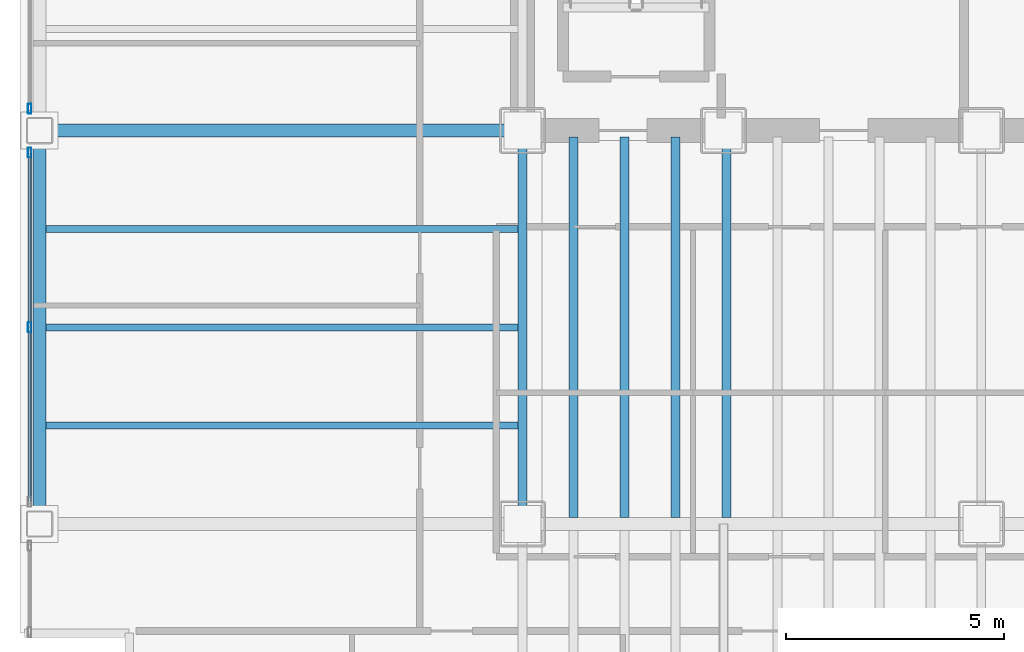
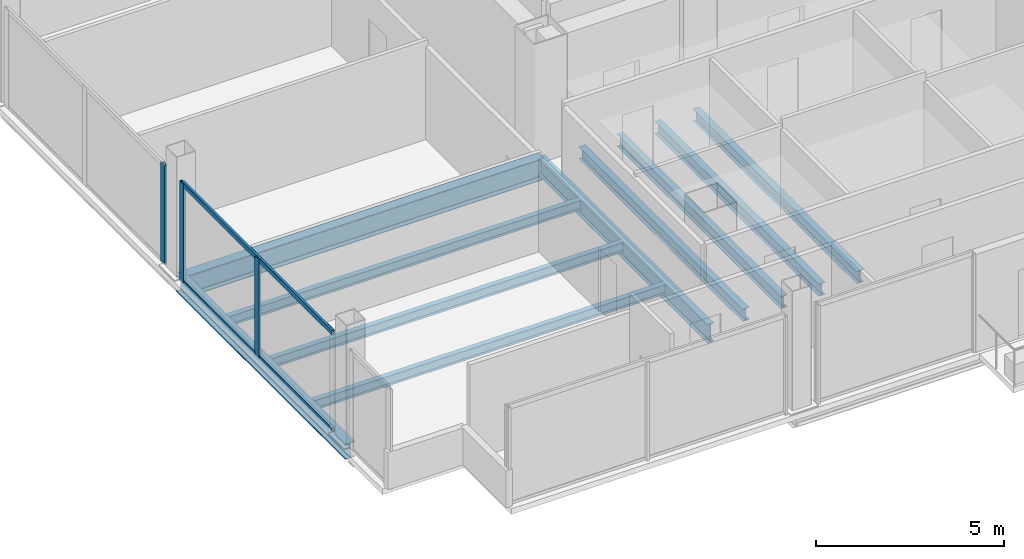
# One storey, part 3 of 21: 10 beams, 5 members, 2 elements without a shape of their own.
"""IFC4 building model written with IfcOpenShell, lengths in metres."""

from ifc_helpers import new_model, si_unit, direction, frame, origin, origin_2d, place, context, subcontext, project, spatial, hollow_rectangle, i_section, extrude, material, material_profile, profile_set, type_object, element, aggregate, save


model = new_model("IFC4")

# Units and contexts
model_context = context("Model", 3, precision=1e-05, world=origin(), true_north=direction((0.0, 1.0)))
body_context = subcontext(model_context, "Body", "Model", "MODEL_VIEW")
ifc_project = project(units=[si_unit("LENGTHUNIT", "METRE"), si_unit("AREAUNIT", "SQUARE_METRE"), si_unit("VOLUMEUNIT", "CUBIC_METRE"), si_unit("PLANEANGLEUNIT", "RADIAN"), si_unit("MASSUNIT", "GRAM", prefix="KILO")], contexts=[model_context])

# Site, building, storey
site_placement = place(None, origin())
site = spatial("IfcSite", under=ifc_project, at=site_placement, CompositionType="ELEMENT")
building_placement = place(site_placement, origin())
building = spatial("IfcBuilding", under=site, at=building_placement, Name="Noeulbin Bourse Tower", CompositionType="ELEMENT")
storey_placement = place(building_placement, frame((0.0, 0.0, 30.39990234375)))
storey = spatial("IfcBuildingStorey", under=building, at=storey_placement, Name="L07", CompositionType="ELEMENT", Elevation=30.39990234375)

# Beams
ifc_material_1 = material(Name="Steel S355", Category="steel")
ifc_material_profile_1 = material_profile(ifc_material_1, i_section(OverallWidth=0.199951171875, OverallDepth=0.60009765625, WebThickness=0.010986328125, FlangeThickness=0.01708984375, FilletRadius=0.02197265625, at=origin_2d()), Name="H-600x200x11x17", Category="LoadBearing")
ifc_profile_set_1 = profile_set([ifc_material_profile_1], Name="Steel S355")
beam_type_1 = type_object("IfcBeamType", Name="BM-GRD-600", PredefinedType="USERDEFINED", material=ifc_profile_set_1)
beam_1_placement = place(storey_placement, frame((13.5, 20.0, -0.47998046875), z_axis=(0.0, 1.0, 0.0), x_axis=(-1.0, 0.0, 0.0)))
element("IfcBeam", 1, at=beam_1_placement, inside=storey, type_object=beam_type_1, Name="Tower Primary Girder NS L07-1.2", ObjectType="GIRDER", PredefinedType="USERDEFINED", context=body_context, shape_type="SweptSolid", body=[
    extrude(i_section(OverallWidth=0.199951171875, OverallDepth=0.60009765625, WebThickness=0.010986328125, FlangeThickness=0.01708984375, FilletRadius=0.02197265625, at=origin_2d()), origin(), (0.0, 0.0, 1.0), 9.0),
])
ifc_material_profile_2 = material_profile(ifc_material_1, i_section(OverallWidth=0.300048828125, OverallDepth=0.699951171875, WebThickness=0.012939453125, FlangeThickness=0.02392578125, FilletRadius=0.02392578125, at=origin_2d()), Name="H-700x300x13x24", Category="LoadBearing")
ifc_profile_set_2 = profile_set([ifc_material_profile_2], Name="Steel S355")
beam_type_2 = type_object("IfcBeamType", Name="BM-GRD-700", PredefinedType="USERDEFINED", material=ifc_profile_set_2)
beam_2_placement = place(storey_placement, frame((2.449951171875, 29.0, -0.52978515625), z_axis=(1.0, 0.0, 0.0), x_axis=(0.0, 1.0, 0.0)))
element("IfcBeam", 2, at=beam_2_placement, inside=storey, type_object=beam_type_2, Name="Tower Primary Girder EW L07-2.1", ObjectType="GIRDER", PredefinedType="USERDEFINED", context=body_context, shape_type="SweptSolid", body=[
    extrude(i_section(OverallWidth=0.300048828125, OverallDepth=0.699951171875, WebThickness=0.012939453125, FlangeThickness=0.02392578125, FilletRadius=0.02392578125, at=origin_2d()), origin(), (0.0, 0.0, 1.0), 11.050048828125),
])
ifc_material_profile_3 = material_profile(ifc_material_1, i_section(OverallWidth=0.159912109375, OverallDepth=0.320068359375, WebThickness=0.006591796875, FlangeThickness=0.010009765625, FilletRadius=0.012939453125, at=origin_2d()), Name="H-320x160x6.5x10", Category="LoadBearing")
ifc_profile_set_3 = profile_set([ifc_material_profile_3], Name="Steel S355")
beam_type_3 = type_object("IfcBeamType", Name="BM-JST-320", PredefinedType="JOIST", material=ifc_profile_set_3)
for number, where, z_axis, x_axis, name in (
    (3, (2.60009765625, 22.25, -0.33984375), (1.0, 0.0, 0.0), (0.0, 1.0, 0.0), "Wing Composite Joist L07-W69"),
    (4, (2.60009765625, 24.5, -0.33984375), (1.0, 0.0, 0.0), (0.0, 1.0, 0.0), "Wing Composite Joist L07-W70"),
    (5, (2.60009765625, 26.75, -0.33984375), (1.0, 0.0, 0.0), (0.0, 1.0, 0.0), "Wing Composite Joist L07-W71"),
):
    element("IfcBeam", number, at=place(storey_placement, frame(where, z_axis=z_axis, x_axis=x_axis)), inside=storey, type_object=beam_type_3, Name=name, PredefinedType="JOIST", context=body_context, shape_type="SweptSolid", body=[
        extrude(i_section(OverallWidth=0.159912109375, OverallDepth=0.320068359375, WebThickness=0.006591796875, FlangeThickness=0.010009765625, FilletRadius=0.012939453125, at=origin_2d()), origin(), (0.0, 0.0, 1.0), 10.7998046875),
    ])
ifc_material_profile_4 = material_profile(ifc_material_1, i_section(OverallWidth=0.199951171875, OverallDepth=0.39990234375, WebThickness=0.008056640625, FlangeThickness=0.012939453125, FilletRadius=0.01611328125, at=origin_2d()), Name="H-400x200x8x13", Category="LoadBearing")
ifc_profile_set_4 = profile_set([ifc_material_profile_4], Name="Steel S355")
beam_type_4 = type_object("IfcBeamType", Name="BM-SEC-400", PredefinedType="BEAM", material=ifc_profile_set_4)
for number, where, z_axis, x_axis, name in (
    (6, (14.666748046875, 20.14990234375, -0.3798828125), (0.0, 1.0, 0.0), (-1.0, 0.0, 0.0), "Tower Composite Joist L07-02"),
    (7, (15.833251953125, 20.14990234375, -0.3798828125), (0.0, 1.0, 0.0), (-1.0, 0.0, 0.0), "Tower Composite Joist L07-05"),
    (8, (17.0, 20.14990234375, -0.3798828125), (0.0, 1.0, 0.0), (-1.0, 0.0, 0.0), "Tower Composite Joist L07-08"),
    (9, (18.166748046875, 20.14990234375, -0.3798828125), (0.0, 1.0, 0.0), (-1.0, 0.0, 0.0), "Tower Composite Joist L07-10"),
):
    element("IfcBeam", number, at=place(storey_placement, frame(where, z_axis=z_axis, x_axis=x_axis)), inside=storey, type_object=beam_type_4, Name=name, PredefinedType="BEAM", context=body_context, shape_type="SweptSolid", body=[
        extrude(i_section(OverallWidth=0.199951171875, OverallDepth=0.39990234375, WebThickness=0.008056640625, FlangeThickness=0.012939453125, FilletRadius=0.01611328125, at=origin_2d()), origin(), (0.0, 0.0, 1.0), 8.7001953125),
    ])
ifc_material_profile_5 = material_profile(ifc_material_1, i_section(OverallWidth=0.300048828125, OverallDepth=0.488037109375, WebThickness=0.010986328125, FlangeThickness=0.01806640625, FilletRadius=0.02197265625, at=origin_2d()), Name="H-488x300x11x18", Category="LoadBearing")
ifc_profile_set_5 = profile_set([ifc_material_profile_5], Name="Steel S355")
beam_type_5 = type_object("IfcBeamType", Name="BM-SPN-488", PredefinedType="SPANDREL", material=ifc_profile_set_5)
beam_3_placement = place(storey_placement, frame((2.449951171875, 20.0, -0.423828125), z_axis=(0.0, 1.0, 0.0), x_axis=(-1.0, 0.0, 0.0)))
element("IfcBeam", 10, at=beam_3_placement, inside=storey, type_object=beam_type_5, Name="West Spandrel L07-1", PredefinedType="SPANDREL", context=body_context, shape_type="SweptSolid", body=[
    extrude(i_section(OverallWidth=0.300048828125, OverallDepth=0.488037109375, WebThickness=0.010986328125, FlangeThickness=0.01806640625, FilletRadius=0.02197265625, at=origin_2d()), origin(), (0.0, 0.0, 1.0), 9.0),
])

# Curtain wall, members
ifc_material_2 = material(Name="Dark Solar-Control Double Glazing", Category="glass")
curtain_wall_type = type_object("IfcCurtainWallType", Name="CW-SYS-2", PredefinedType="NOTDEFINED", material=ifc_material_2)
curtain_wall_1_placement = place(storey_placement, origin())
curtain_wall_1 = element("IfcCurtainWall", 11, at=curtain_wall_1_placement, inside=storey, type_object=curtain_wall_type, Name="Unitised Curtain Wall CW-L07-W-S2", PredefinedType="NOTDEFINED")
ifc_material_3 = material(Name="Anodised Aluminium 6063-T6", Category="aluminium")
ifc_material_profile_6 = material_profile(ifc_material_3, hollow_rectangle(XDim=0.074951171875, YDim=0.219970703125, WallThickness=0.0048828125, InnerFilletRadius=0.00244140625, OuterFilletRadius=0.0048828125, at=origin_2d()), Name="ALU-MULL-75x220x5", Category="LoadBearing")
ifc_profile_set_6 = profile_set([ifc_material_profile_6], Name="Anodised Aluminium 6063-T6")
member_type_1 = type_object("IfcMemberType", Name="CW-SYS-2-MUL", PredefinedType="MULLION", material=ifc_profile_set_6)
member_1_placement = place(storey_placement, frame((2.219970703125, 24.5, -0.02001953125), z_axis=(0.0, 0.0, 1.0), x_axis=(1.0, 0.0, 0.0)))
member_1 = element("IfcMember", 12, at=member_1_placement, type_object=member_type_1, Name="Curtain Wall Mullion CW-L07-W-S2-M01", PredefinedType="MULLION", context=body_context, shape_type="SweptSolid", body=[
    extrude(hollow_rectangle(XDim=0.074951171875, YDim=0.219970703125, WallThickness=0.0048828125, InnerFilletRadius=0.00244140625, OuterFilletRadius=0.0048828125, at=origin_2d()), origin(), (0.0, 0.0, 1.0), 3.22021484375),
])
member_2_placement = place(storey_placement, frame((2.219970703125, 28.5, -0.02001953125), z_axis=(0.0, 0.0, 1.0), x_axis=(1.0, 0.0, 0.0)))
member_2 = element("IfcMember", 13, at=member_2_placement, type_object=member_type_1, Name="Curtain Wall Mullion CW-L07-W-S2-M02", PredefinedType="MULLION", context=body_context, shape_type="SweptSolid", body=[
    extrude(hollow_rectangle(XDim=0.074951171875, YDim=0.219970703125, WallThickness=0.0048828125, InnerFilletRadius=0.00244140625, OuterFilletRadius=0.0048828125, at=origin_2d()), origin(), (0.0, 0.0, 1.0), 3.22021484375),
])

# Curtain wall, member
curtain_wall_2_placement = place(storey_placement, origin())
curtain_wall_2 = element("IfcCurtainWall", 14, at=curtain_wall_2_placement, inside=storey, type_object=curtain_wall_type, Name="Unitised Curtain Wall CW-L07-W-S3", PredefinedType="NOTDEFINED")
member_3_placement = place(storey_placement, frame((2.219970703125, 29.5, -0.02001953125), z_axis=(0.0, 0.0, 1.0), x_axis=(1.0, 0.0, 0.0)))
member_3 = element("IfcMember", 15, at=member_3_placement, type_object=member_type_1, Name="Curtain Wall Mullion CW-L07-W-S3-M00", PredefinedType="MULLION", context=body_context, shape_type="SweptSolid", body=[
    extrude(hollow_rectangle(XDim=0.074951171875, YDim=0.219970703125, WallThickness=0.0048828125, InnerFilletRadius=0.00244140625, OuterFilletRadius=0.0048828125, at=origin_2d()), origin(), (0.0, 0.0, 1.0), 3.22021484375),
])
aggregate(curtain_wall_2, [member_3])

# Member
ifc_material_profile_7 = material_profile(ifc_material_3, hollow_rectangle(XDim=0.074951171875, YDim=0.159912109375, WallThickness=0.0048828125, InnerFilletRadius=0.00244140625, OuterFilletRadius=0.0048828125, at=origin_2d()), Name="ALU-TRAN-75x160x5", Category="LoadBearing")
ifc_profile_set_7 = profile_set([ifc_material_profile_7], Name="Anodised Aluminium 6063-T6")
member_type_2 = type_object("IfcMemberType", Name="CW-SYS-2-TRN", PredefinedType="USERDEFINED", material=ifc_profile_set_7)
member_4_placement = place(storey_placement, frame((2.219970703125, 20.510009765625, 0.010009765625), z_axis=(0.0, 1.0, 0.0), x_axis=(-1.0, 0.0, 0.0)))
member_4 = element("IfcMember", 16, at=member_4_placement, type_object=member_type_2, Name="Curtain Wall Transom CW-L07-W-S2-T00", ObjectType="TRANSOM", PredefinedType="USERDEFINED", context=body_context, shape_type="SweptSolid", body=[
    extrude(hollow_rectangle(XDim=0.074951171875, YDim=0.159912109375, WallThickness=0.0048828125, InnerFilletRadius=0.00244140625, OuterFilletRadius=0.0048828125, at=origin_2d()), origin(), (0.0, 0.0, 1.0), 7.97998046875),
])

member_5_placement = place(storey_placement, frame((2.219970703125, 20.510009765625, 3.170166015625), z_axis=(0.0, 1.0, 0.0), x_axis=(-1.0, 0.0, 0.0)))
member_5 = element("IfcMember", 17, at=member_5_placement, type_object=member_type_2, Name="Curtain Wall Transom CW-L07-W-S2-T01", ObjectType="TRANSOM", PredefinedType="USERDEFINED", context=body_context, shape_type="SweptSolid", body=[
    extrude(hollow_rectangle(XDim=0.074951171875, YDim=0.159912109375, WallThickness=0.0048828125, InnerFilletRadius=0.00244140625, OuterFilletRadius=0.0048828125, at=origin_2d()), origin(), (0.0, 0.0, 1.0), 7.97998046875),
])

aggregate(curtain_wall_1, [member_1, member_2, member_4, member_5])

save(model, "model.ifc")
